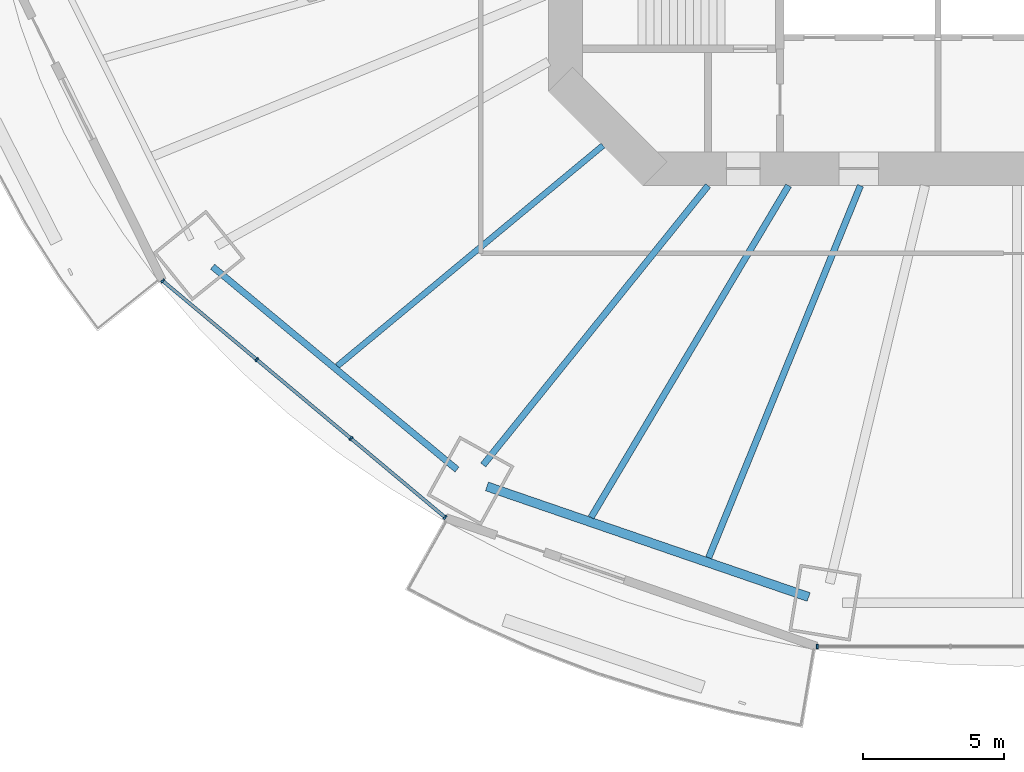
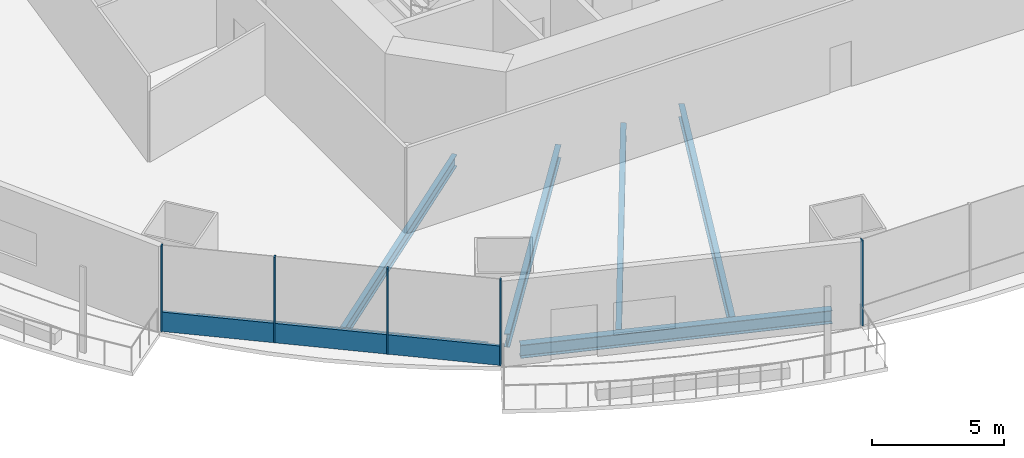
# One storey, part 2 of 23: 6 beams, 6 members, 2 elements without a shape of their own.
"""IFC4 building model written with IfcOpenShell, lengths in metres."""

from ifc_helpers import new_model, si_unit, direction, frame, origin, origin_2d, place, context, subcontext, project, spatial, rectangle, i_section, extrude, material, material_profile, profile_set, type_object, element, aggregate, save


model = new_model("IFC4")

# Units and contexts
model_context = context("Model", 3, precision=1e-05, world=origin(), true_north=direction((0.0, 1.0)))
body_context = subcontext(model_context, "Body", "Model", "MODEL_VIEW")
ifc_project = project(units=[si_unit("LENGTHUNIT", "METRE"), si_unit("AREAUNIT", "SQUARE_METRE"), si_unit("VOLUMEUNIT", "CUBIC_METRE"), si_unit("PLANEANGLEUNIT", "RADIAN"), si_unit("MASSUNIT", "GRAM", prefix="KILO")], contexts=[model_context])

# Site, building, storey
site_placement = place(None, origin())
site = spatial("IfcSite", under=ifc_project, at=site_placement, CompositionType="ELEMENT")
building_placement = place(site_placement, origin())
building = spatial("IfcBuilding", under=site, at=building_placement, Name="Marenthal Gate Tower", CompositionType="ELEMENT")
storey_placement = place(building_placement, frame((0.0, 0.0, 49.60009765625)))
storey = spatial("IfcBuildingStorey", under=building, at=storey_placement, Name="L08", CompositionType="ELEMENT", Elevation=49.60009765625)

# Curtain wall, members
ifc_material_1 = material(Name="Aluminium and glass", Category="aluminium")
curtain_wall_type = type_object("IfcCurtainWallType", Name="Curtain wall typical low", PredefinedType="NOTDEFINED", material=ifc_material_1)
curtain_wall_1_placement = place(storey_placement, origin())
curtain_wall_1 = element("IfcCurtainWall", 1, at=curtain_wall_1_placement, inside=storey, type_object=curtain_wall_type, Name="Curtain wall L08 bay 10", PredefinedType="NOTDEFINED")
ifc_material_2 = material(Name="Aluminium", Category="aluminium")
ifc_material_profile_1 = material_profile(ifc_material_2, rectangle(XDim=0.159912109375, YDim=0.06005859375, at=origin_2d()), Name="60x160 aluminium mullion")
ifc_profile_set_1 = profile_set([ifc_material_profile_1], Name="Aluminium")
member_type_1 = type_object("IfcMemberType", Name="Mullion 60x160 typical low", PredefinedType="MULLION", material=ifc_profile_set_1)
member_1_placement = place(storey_placement, frame((-30.274169921875, -16.972412109375, 0.0), z_axis=(0.0, 0.0, 1.0), x_axis=(0.642047277641, 0.766665046336, 0.0)))
member_1 = element("IfcMember", 2, at=member_1_placement, type_object=member_type_1, Name="Mullion L08 bay 10.1", PredefinedType="MULLION", context=body_context, shape_type="SweptSolid", body=[
    extrude(rectangle(XDim=0.159912109375, YDim=0.06005859375, at=origin_2d()), origin(), (0.0, 0.0, 1.0), 3.969970703125),
])
member_2_placement = place(storey_placement, frame((-26.938232421875, -19.76611328125, 0.0), z_axis=(0.0, 0.0, 1.0), x_axis=(0.642047277641, 0.766665046336, 0.0)))
member_2 = element("IfcMember", 3, at=member_2_placement, type_object=member_type_1, Name="Mullion L08 bay 10.2", PredefinedType="MULLION", context=body_context, shape_type="SweptSolid", body=[
    extrude(rectangle(XDim=0.159912109375, YDim=0.06005859375, at=origin_2d()), origin(), (0.0, 0.0, 1.0), 3.969970703125),
])
member_3_placement = place(storey_placement, frame((-23.6025390625, -22.5595703125, 0.0), z_axis=(0.0, 0.0, 1.0), x_axis=(0.642047277641, 0.766665046336, 0.0)))
member_3 = element("IfcMember", 4, at=member_3_placement, type_object=member_type_1, Name="Mullion L08 bay 10.3", PredefinedType="MULLION", context=body_context, shape_type="SweptSolid", body=[
    extrude(rectangle(XDim=0.159912109375, YDim=0.06005859375, at=origin_2d()), origin(), (0.0, 0.0, 1.0), 3.969970703125),
])
member_4_placement = place(storey_placement, frame((-20.266845703125, -25.35302734375, 0.0), z_axis=(0.0, 0.0, 1.0), x_axis=(0.642047277641, 0.766665046336, 0.0)))
member_4 = element("IfcMember", 5, at=member_4_placement, type_object=member_type_1, Name="Mullion L08 bay 10.4", PredefinedType="MULLION", context=body_context, shape_type="SweptSolid", body=[
    extrude(rectangle(XDim=0.159912109375, YDim=0.06005859375, at=origin_2d()), origin(), (0.0, 0.0, 1.0), 3.969970703125),
])

# Curtain wall, member
curtain_wall_2_placement = place(storey_placement, origin())
curtain_wall_2 = element("IfcCurtainWall", 6, at=curtain_wall_2_placement, inside=storey, type_object=curtain_wall_type, Name="Curtain wall L08 bay 12", PredefinedType="NOTDEFINED")
member_5_placement = place(storey_placement, frame((-7.07861328125, -29.9287109375, 0.0), z_axis=(0.0, 0.0, 1.0), x_axis=(0.0, 1.0, 0.0)))
member_5 = element("IfcMember", 7, at=member_5_placement, type_object=member_type_1, Name="Mullion L08 bay 12.1", PredefinedType="MULLION", context=body_context, shape_type="SweptSolid", body=[
    extrude(rectangle(XDim=0.159912109375, YDim=0.06005859375, at=origin_2d()), origin(), (0.0, 0.0, 1.0), 3.969970703125),
])
aggregate(curtain_wall_2, [member_5])

# Member
ifc_material_3 = material(Name="Aluminium", Category="aluminium")
ifc_material_profile_2 = material_profile(ifc_material_3, rectangle(XDim=0.1201171875, YDim=0.89990234375, at=origin_2d()), Name="120x900 aluminium transom")
ifc_profile_set_2 = profile_set([ifc_material_profile_2], Name="Aluminium")
member_type_2 = type_object("IfcMemberType", Name="Transom 120x900 typical low", PredefinedType="USERDEFINED", material=ifc_profile_set_2)
member_6_placement = place(storey_placement, frame((-30.251220703125, -16.99169921875, 0.449951171875), z_axis=(0.766672707648, -0.6420381292, 0.0), x_axis=(0.6420381292, 0.766672707648, 0.0)))
member_6 = element("IfcMember", 8, at=member_6_placement, type_object=member_type_2, Name="Transom L08 bay 10", ObjectType="TRANSOM", PredefinedType="USERDEFINED", context=body_context, shape_type="SweptSolid", body=[
    extrude(rectangle(XDim=0.1201171875, YDim=0.89990234375, at=origin_2d()), origin(), (0.0, 0.0, 1.0), 12.9931640625),
])

aggregate(curtain_wall_1, [member_1, member_2, member_3, member_4, member_6])

# Beams
ifc_material_4 = material(Name="Steel S355", Category="steel")
ifc_material_profile_3 = material_profile(ifc_material_4, i_section(OverallWidth=0.2119140625, OverallDepth=0.5439453125, WebThickness=0.01318359375, FlangeThickness=0.021240234375, FilletRadius=0.0126953125, at=origin_2d()), Name="W530X123")
ifc_profile_set_3 = profile_set([ifc_material_profile_3], Name="Steel S355")
beam_type_1 = type_object("IfcBeamType", Name="W530X123 beam", PredefinedType="BEAM", material=ifc_profile_set_3)
beam_1_placement = place(storey_placement, frame((-24.085205078125, -19.99267578125, -0.4521484375), z_axis=(0.769446518411, 0.638711245639, 0.0), x_axis=(-0.638711245639, 0.769446518411, 0.0)))
element("IfcBeam", 9, at=beam_1_placement, inside=storey, type_object=beam_type_1, Name="BM-L08-31", PredefinedType="BEAM", context=body_context, shape_type="SweptSolid", body=[
    extrude(i_section(OverallWidth=0.2119140625, OverallDepth=0.5439453125, WebThickness=0.01318359375, FlangeThickness=0.021240234375, FilletRadius=0.0126953125, at=origin_2d()), origin(), (0.0, 0.0, 1.0), 12.235595703125),
])
ifc_material_5 = material(Name="Steel S355", Category="steel")
ifc_material_profile_4 = material_profile(ifc_material_5, i_section(OverallWidth=0.22900390625, OverallDepth=0.612060546875, WebThickness=0.011962890625, FlangeThickness=0.01953125, FilletRadius=0.0126953125, at=origin_2d()), Name="W610X125")
ifc_profile_set_4 = profile_set([ifc_material_profile_4], Name="Steel S355")
beam_type_2 = type_object("IfcBeamType", Name="W610X125 beam", PredefinedType="BEAM", material=ifc_profile_set_4)
beam_2_placement = place(storey_placement, frame((-18.916015625, -23.49951171875, -0.486083984375), z_axis=(0.627042105716, 0.778985364214, 0.0), x_axis=(-0.778985364214, 0.627042105716, 0.0)))
element("IfcBeam", 10, at=beam_2_placement, inside=storey, type_object=beam_type_2, Name="BM-L08-11", PredefinedType="BEAM", context=body_context, shape_type="SweptSolid", body=[
    extrude(i_section(OverallWidth=0.22900390625, OverallDepth=0.612060546875, WebThickness=0.011962890625, FlangeThickness=0.01953125, FilletRadius=0.0126953125, at=origin_2d()), origin(), (0.0, 0.0, 1.0), 12.7080078125),
])
beam_3_placement = place(storey_placement, frame((-15.0927734375, -25.356201171875, -0.486083984375), z_axis=(0.511477271469, 0.859296805982, 0.0), x_axis=(-0.859296805982, 0.511477271469, 0.0)))
element("IfcBeam", 11, at=beam_3_placement, inside=storey, type_object=beam_type_2, Name="BM-L08-32", PredefinedType="BEAM", context=body_context, shape_type="SweptSolid", body=[
    extrude(i_section(OverallWidth=0.22900390625, OverallDepth=0.612060546875, WebThickness=0.011962890625, FlangeThickness=0.01953125, FilletRadius=0.0126953125, at=origin_2d()), origin(), (0.0, 0.0, 1.0), 13.68115234375),
])
beam_4_placement = place(storey_placement, frame((-10.927490234375, -26.7880859375, -0.486083984375), z_axis=(0.377703578377, 0.925926566679, 0.0), x_axis=(-0.925926566679, 0.377703578377, 0.0)))
element("IfcBeam", 12, at=beam_4_placement, inside=storey, type_object=beam_type_2, Name="BM-L08-33", PredefinedType="BEAM", context=body_context, shape_type="SweptSolid", body=[
    extrude(i_section(OverallWidth=0.22900390625, OverallDepth=0.612060546875, WebThickness=0.011962890625, FlangeThickness=0.01953125, FilletRadius=0.0126953125, at=origin_2d()), origin(), (0.0, 0.0, 1.0), 14.242919921875),
])
beam_5_placement = place(storey_placement, frame((-28.50439453125, -16.472900390625, -0.486083984375), z_axis=(0.76943582663, -0.638724125658, 0.0), x_axis=(0.638724125658, 0.76943582663, 0.0)))
element("IfcBeam", 13, at=beam_5_placement, inside=storey, type_object=beam_type_2, Name="BM-L08-50", PredefinedType="BEAM", context=body_context, shape_type="SweptSolid", body=[
    extrude(i_section(OverallWidth=0.22900390625, OverallDepth=0.612060546875, WebThickness=0.011962890625, FlangeThickness=0.01953125, FilletRadius=0.0126953125, at=origin_2d()), origin(), (0.0, 0.0, 1.0), 11.257080078125),
])
ifc_material_6 = material(Name="Steel S355", Category="steel")
ifc_material_profile_5 = material_profile(ifc_material_6, i_section(OverallWidth=0.324951171875, OverallDepth=0.612060546875, WebThickness=0.0126953125, FlangeThickness=0.01904296875, FilletRadius=0.0126953125, at=origin_2d()), Name="W610X155")
ifc_profile_set_5 = profile_set([ifc_material_profile_5], Name="Steel S355")
beam_type_3 = type_object("IfcBeamType", Name="W610X155 beam", PredefinedType="BEAM", material=ifc_profile_set_5)
beam_6_placement = place(storey_placement, frame((-18.782470703125, -24.25927734375, -0.486083984375), z_axis=(0.945659940371, -0.325157311431, 0.0), x_axis=(0.325157311431, 0.945659940371, 0.0)))
element("IfcBeam", 14, at=beam_6_placement, inside=storey, type_object=beam_type_3, Name="BM-L08-51", PredefinedType="BEAM", context=body_context, shape_type="SweptSolid", body=[
    extrude(i_section(OverallWidth=0.324951171875, OverallDepth=0.612060546875, WebThickness=0.0126953125, FlangeThickness=0.01904296875, FilletRadius=0.0126953125, at=origin_2d()), origin(), (0.0, 0.0, 1.0), 12.0546875),
])

save(model, "model.ifc")
